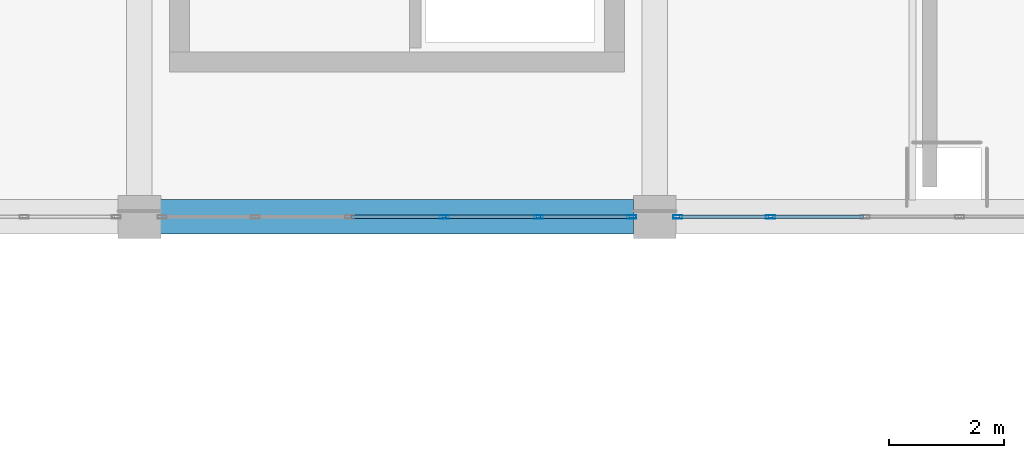
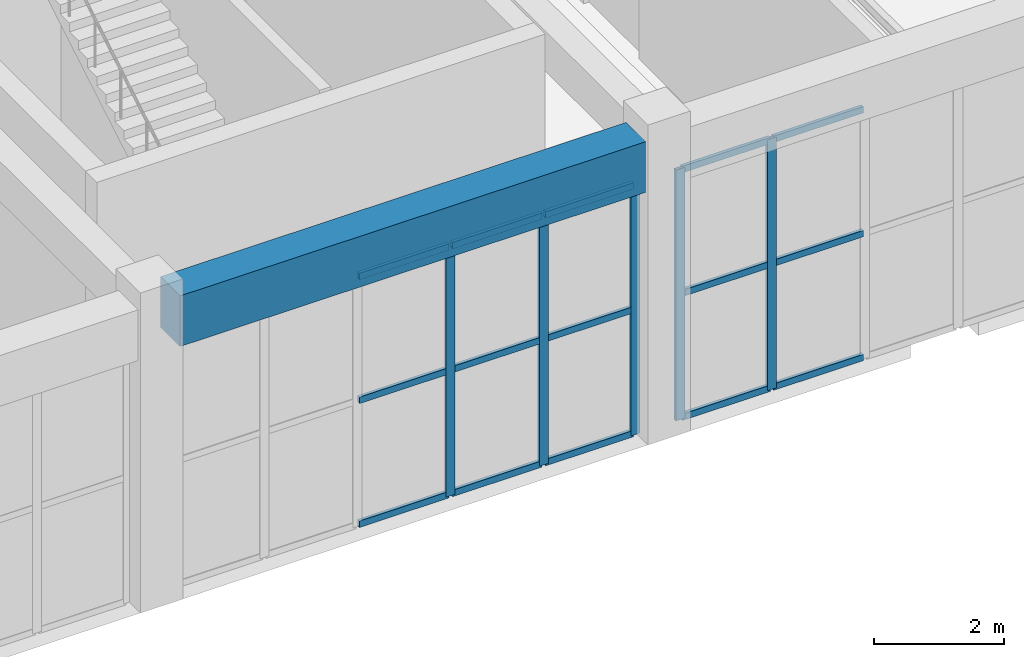
# One storey, part 90 of 223: 20 members, 1 beam, 2 elements without a shape of their own.
"""IFC4 building model written with IfcOpenShell, lengths in metres."""

from ifc_helpers import new_model, si_unit, direction, frame, origin, origin_2d, place, context, subcontext, project, spatial, rectangle, hollow_rectangle, extrude, material, layer, layer_set, material_profile, profile_set, type_object, element, aggregate, save


model = new_model("IFC4")

# Units and contexts
model_context = context("Model", 3, precision=1e-05, world=origin(), true_north=direction((0.0, 1.0)))
body_context = subcontext(model_context, "Body", "Model", "MODEL_VIEW")
ifc_project = project(units=[si_unit("LENGTHUNIT", "METRE"), si_unit("AREAUNIT", "SQUARE_METRE"), si_unit("VOLUMEUNIT", "CUBIC_METRE"), si_unit("PLANEANGLEUNIT", "RADIAN"), si_unit("MASSUNIT", "GRAM", prefix="KILO")], contexts=[model_context])

# Site, building, storey
site_placement = place(None, origin())
site = spatial("IfcSite", under=ifc_project, at=site_placement, CompositionType="ELEMENT")
building_placement = place(site_placement, origin())
building = spatial("IfcBuilding", under=site, at=building_placement, Name="Dornveld Trade and Exhibition Forum", CompositionType="ELEMENT")
storey_placement = place(building_placement, frame((0.0, 0.0, 6.0)))
storey = spatial("IfcBuildingStorey", under=building, at=storey_placement, Name="L01", CompositionType="ELEMENT", Elevation=6.0)

# Beam
ifc_material_1 = material(Name="Precast concrete C50/60", Category="concrete")
ifc_material_profile_1 = material_profile(ifc_material_1, rectangle(XDim=0.60009765625, YDim=0.949951171875, at=origin_2d()), Name="PC-GIR 600x950")
ifc_profile_set_1 = profile_set([ifc_material_profile_1], Name="Precast concrete C50/60")
beam_type = type_object("IfcBeamType", Name="BM-PC-600x950", PredefinedType="T_BEAM", material=ifc_profile_set_1)
beam_placement = place(storey_placement, frame((180.37109375, 108.0, 5.1650390625), z_axis=(1.0, 0.0, 0.0), x_axis=(0.0, 1.0, 0.0)))
element("IfcBeam", 1, at=beam_placement, inside=storey, type_object=beam_type, Name="L01 X-girder 1335", PredefinedType="T_BEAM", context=body_context, shape_type="SweptSolid", body=[
    extrude(rectangle(XDim=0.60009765625, YDim=0.949951171875, at=origin_2d()), origin(), (0.0, 0.0, 1.0), 8.2578125),
])

# Curtain wall, members
ifc_material_2 = material(Name="Dark-bronze anodised aluminium and low-E glass", Category="aluminium")
ifc_layer_1 = layer(ifc_material_2, 0.18701171875)
ifc_layer_set_1 = layer_set([ifc_layer_1], Name="Dark-bronze anodised aluminium and low-E glass")
curtain_wall_type_1 = type_object("IfcCurtainWallType", Name="CW-SYS-15", PredefinedType="USERDEFINED", material=ifc_layer_set_1)
curtain_wall_1_placement = place(storey_placement, origin())
curtain_wall_1 = element("IfcCurtainWall", 2, at=curtain_wall_1_placement, inside=storey, type_object=curtain_wall_type_1, Name="L01 unitised curtain wall 105", ObjectType="UNITISED_CURTAIN_WALL", PredefinedType="USERDEFINED")
ifc_material_3 = material(Name="Dark-bronze anodised aluminium", Category="aluminium")
ifc_material_profile_2 = material_profile(ifc_material_3, hollow_rectangle(XDim=0.06005859375, YDim=0.159912109375, WallThickness=0.00390625, at=origin_2d()), Name="RHS 160x60x4")
ifc_profile_set_2 = profile_set([ifc_material_profile_2], Name="Dark-bronze anodised aluminium")
member_type_1 = type_object("IfcMemberType", Name="CW-MUL-160", PredefinedType="MULLION", material=ifc_profile_set_2)
member_1_placement = place(storey_placement, frame((185.32568359375, 108.0, -0.00390625), z_axis=(0.0, 0.0, 1.0), x_axis=(0.0, 1.0, 0.0)))
member_1 = element("IfcMember", 3, at=member_1_placement, type_object=member_type_1, Name="CW-15 mullion 4", PredefinedType="MULLION", context=body_context, shape_type="SweptSolid", body=[
    extrude(hollow_rectangle(XDim=0.06005859375, YDim=0.159912109375, WallThickness=0.00390625, at=origin_2d()), origin(), (0.0, 0.0, 1.0), 4.703857421875),
])
member_2_placement = place(storey_placement, frame((186.977294921875, 108.0, -0.00390625), z_axis=(0.0, 0.0, 1.0), x_axis=(0.0, 1.0, 0.0)))
member_2 = element("IfcMember", 4, at=member_2_placement, type_object=member_type_1, Name="CW-15 mullion 5", PredefinedType="MULLION", context=body_context, shape_type="SweptSolid", body=[
    extrude(hollow_rectangle(XDim=0.06005859375, YDim=0.159912109375, WallThickness=0.00390625, at=origin_2d()), origin(), (0.0, 0.0, 1.0), 4.703857421875),
])
member_3_placement = place(storey_placement, frame((188.59912109375, 108.0, -0.00390625), z_axis=(0.0, 0.0, 1.0), x_axis=(0.0, 1.0, 0.0)))
member_3 = element("IfcMember", 5, at=member_3_placement, type_object=member_type_1, Name="CW-15 mullion 6", PredefinedType="MULLION", context=body_context, shape_type="SweptSolid", body=[
    extrude(hollow_rectangle(XDim=0.06005859375, YDim=0.159912109375, WallThickness=0.00390625, at=origin_2d()), origin(), (0.0, 0.0, 1.0), 4.703857421875),
])

ifc_material_4 = material(Name="Dark-bronze anodised aluminium and low-E glass", Category="aluminium")
ifc_layer_2 = layer(ifc_material_4, 0.18994140625)
ifc_layer_set_2 = layer_set([ifc_layer_2], Name="Dark-bronze anodised aluminium and low-E glass")
curtain_wall_type_2 = type_object("IfcCurtainWallType", Name="CW-SYS-16", PredefinedType="USERDEFINED", material=ifc_layer_set_2)
curtain_wall_2_placement = place(storey_placement, origin())
curtain_wall_2 = element("IfcCurtainWall", 6, at=curtain_wall_2_placement, inside=storey, type_object=curtain_wall_type_2, Name="L01 unitised curtain wall 106", ObjectType="UNITISED_CURTAIN_WALL", PredefinedType="USERDEFINED")
member_4_placement = place(storey_placement, frame((189.40087890625, 108.0, -0.00390625), z_axis=(0.0, 0.0, 1.0), x_axis=(0.0, 1.0, 0.0)))
member_4 = element("IfcMember", 7, at=member_4_placement, type_object=member_type_1, Name="CW-16 mullion 1", PredefinedType="MULLION", context=body_context, shape_type="SweptSolid", body=[
    extrude(hollow_rectangle(XDim=0.06005859375, YDim=0.159912109375, WallThickness=0.00390625, at=origin_2d()), origin(), (0.0, 0.0, 1.0), 4.703857421875),
])
member_5_placement = place(storey_placement, frame((191.022705078125, 108.0, -0.00390625), z_axis=(0.0, 0.0, 1.0), x_axis=(0.0, 1.0, 0.0)))
member_5 = element("IfcMember", 8, at=member_5_placement, type_object=member_type_1, Name="CW-16 mullion 2", PredefinedType="MULLION", context=body_context, shape_type="SweptSolid", body=[
    extrude(hollow_rectangle(XDim=0.06005859375, YDim=0.159912109375, WallThickness=0.00390625, at=origin_2d()), origin(), (0.0, 0.0, 1.0), 4.703857421875),
])

# Member
ifc_material_5 = material(Name="Dark-bronze anodised aluminium", Category="aluminium")
ifc_material_profile_3 = material_profile(ifc_material_5, hollow_rectangle(XDim=0.06005859375, YDim=0.1201171875, WallThickness=0.00390625, at=origin_2d()), Name="RHS 120x60x4")
ifc_profile_set_3 = profile_set([ifc_material_profile_3], Name="Dark-bronze anodised aluminium")
member_type_2 = type_object("IfcMemberType", Name="CW-TRN-120", PredefinedType="USERDEFINED", material=ifc_profile_set_3)
member_6_placement = place(storey_placement, frame((183.7041015625, 108.0, 0.02587890625), z_axis=(1.0, 0.0, 0.0), x_axis=(0.0, 1.0, 0.0)))
member_6 = element("IfcMember", 9, at=member_6_placement, type_object=member_type_2, Name="CW-15 transom 3.1", ObjectType="TRANSOM", PredefinedType="USERDEFINED", context=body_context, shape_type="SweptSolid", body=[
    extrude(hollow_rectangle(XDim=0.06005859375, YDim=0.1201171875, WallThickness=0.00390625, at=origin_2d()), origin(), (0.0, 0.0, 1.0), 1.591796875),
])

member_7_placement = place(storey_placement, frame((183.7041015625, 108.0, 2.347900390625), z_axis=(1.0, 0.0, 0.0), x_axis=(0.0, 1.0, 0.0)))
member_7 = element("IfcMember", 10, at=member_7_placement, type_object=member_type_2, Name="CW-15 transom 3.2", ObjectType="TRANSOM", PredefinedType="USERDEFINED", context=body_context, shape_type="SweptSolid", body=[
    extrude(hollow_rectangle(XDim=0.06005859375, YDim=0.1201171875, WallThickness=0.00390625, at=origin_2d()), origin(), (0.0, 0.0, 1.0), 1.591796875),
])

member_8_placement = place(storey_placement, frame((183.7041015625, 108.0, 4.669921875), z_axis=(1.0, 0.0, 0.0), x_axis=(0.0, 1.0, 0.0)))
member_8 = element("IfcMember", 11, at=member_8_placement, type_object=member_type_2, Name="CW-15 transom 3.3", ObjectType="TRANSOM", PredefinedType="USERDEFINED", context=body_context, shape_type="SweptSolid", body=[
    extrude(hollow_rectangle(XDim=0.06005859375, YDim=0.1201171875, WallThickness=0.00390625, at=origin_2d()), origin(), (0.0, 0.0, 1.0), 1.591796875),
])

member_9_placement = place(storey_placement, frame((185.355712890625, 108.0, 0.02587890625), z_axis=(1.0, 0.0, 0.0), x_axis=(0.0, 1.0, 0.0)))
member_9 = element("IfcMember", 12, at=member_9_placement, type_object=member_type_2, Name="CW-15 transom 4.1", ObjectType="TRANSOM", PredefinedType="USERDEFINED", context=body_context, shape_type="SweptSolid", body=[
    extrude(hollow_rectangle(XDim=0.06005859375, YDim=0.1201171875, WallThickness=0.00390625, at=origin_2d()), origin(), (0.0, 0.0, 1.0), 1.591796875),
])

member_10_placement = place(storey_placement, frame((185.355712890625, 108.0, 2.347900390625), z_axis=(1.0, 0.0, 0.0), x_axis=(0.0, 1.0, 0.0)))
member_10 = element("IfcMember", 13, at=member_10_placement, type_object=member_type_2, Name="CW-15 transom 4.2", ObjectType="TRANSOM", PredefinedType="USERDEFINED", context=body_context, shape_type="SweptSolid", body=[
    extrude(hollow_rectangle(XDim=0.06005859375, YDim=0.1201171875, WallThickness=0.00390625, at=origin_2d()), origin(), (0.0, 0.0, 1.0), 1.591796875),
])

member_11_placement = place(storey_placement, frame((185.355712890625, 108.0, 4.669921875), z_axis=(1.0, 0.0, 0.0), x_axis=(0.0, 1.0, 0.0)))
member_11 = element("IfcMember", 14, at=member_11_placement, type_object=member_type_2, Name="CW-15 transom 4.3", ObjectType="TRANSOM", PredefinedType="USERDEFINED", context=body_context, shape_type="SweptSolid", body=[
    extrude(hollow_rectangle(XDim=0.06005859375, YDim=0.1201171875, WallThickness=0.00390625, at=origin_2d()), origin(), (0.0, 0.0, 1.0), 1.591796875),
])

member_12_placement = place(storey_placement, frame((187.00732421875, 108.0, 0.02587890625), z_axis=(1.0, 0.0, 0.0), x_axis=(0.0, 1.0, 0.0)))
member_12 = element("IfcMember", 15, at=member_12_placement, type_object=member_type_2, Name="CW-15 transom 5.1", ObjectType="TRANSOM", PredefinedType="USERDEFINED", context=body_context, shape_type="SweptSolid", body=[
    extrude(hollow_rectangle(XDim=0.06005859375, YDim=0.1201171875, WallThickness=0.00390625, at=origin_2d()), origin(), (0.0, 0.0, 1.0), 1.561767578125),
])

member_13_placement = place(storey_placement, frame((187.00732421875, 108.0, 2.347900390625), z_axis=(1.0, 0.0, 0.0), x_axis=(0.0, 1.0, 0.0)))
member_13 = element("IfcMember", 16, at=member_13_placement, type_object=member_type_2, Name="CW-15 transom 5.2", ObjectType="TRANSOM", PredefinedType="USERDEFINED", context=body_context, shape_type="SweptSolid", body=[
    extrude(hollow_rectangle(XDim=0.06005859375, YDim=0.1201171875, WallThickness=0.00390625, at=origin_2d()), origin(), (0.0, 0.0, 1.0), 1.561767578125),
])

member_14_placement = place(storey_placement, frame((187.00732421875, 108.0, 4.669921875), z_axis=(1.0, 0.0, 0.0), x_axis=(0.0, 1.0, 0.0)))
member_14 = element("IfcMember", 17, at=member_14_placement, type_object=member_type_2, Name="CW-15 transom 5.3", ObjectType="TRANSOM", PredefinedType="USERDEFINED", context=body_context, shape_type="SweptSolid", body=[
    extrude(hollow_rectangle(XDim=0.06005859375, YDim=0.1201171875, WallThickness=0.00390625, at=origin_2d()), origin(), (0.0, 0.0, 1.0), 1.561767578125),
])

aggregate(curtain_wall_1, [member_1, member_2, member_3, member_6, member_7, member_8, member_9, member_10, member_11, member_12, member_13, member_14])

member_15_placement = place(storey_placement, frame((189.430908203125, 108.0, 0.02587890625), z_axis=(1.0, 0.0, 0.0), x_axis=(0.0, 1.0, 0.0)))
member_15 = element("IfcMember", 18, at=member_15_placement, type_object=member_type_2, Name="CW-16 transom 1.1", ObjectType="TRANSOM", PredefinedType="USERDEFINED", context=body_context, shape_type="SweptSolid", body=[
    extrude(hollow_rectangle(XDim=0.06005859375, YDim=0.1201171875, WallThickness=0.00390625, at=origin_2d()), origin(), (0.0, 0.0, 1.0), 1.561767578125),
])

member_16_placement = place(storey_placement, frame((189.430908203125, 108.0, 2.347900390625), z_axis=(1.0, 0.0, 0.0), x_axis=(0.0, 1.0, 0.0)))
member_16 = element("IfcMember", 19, at=member_16_placement, type_object=member_type_2, Name="CW-16 transom 1.2", ObjectType="TRANSOM", PredefinedType="USERDEFINED", context=body_context, shape_type="SweptSolid", body=[
    extrude(hollow_rectangle(XDim=0.06005859375, YDim=0.1201171875, WallThickness=0.00390625, at=origin_2d()), origin(), (0.0, 0.0, 1.0), 1.561767578125),
])

member_17_placement = place(storey_placement, frame((189.430908203125, 108.0, 4.669921875), z_axis=(1.0, 0.0, 0.0), x_axis=(0.0, 1.0, 0.0)))
member_17 = element("IfcMember", 20, at=member_17_placement, type_object=member_type_2, Name="CW-16 transom 1.3", ObjectType="TRANSOM", PredefinedType="USERDEFINED", context=body_context, shape_type="SweptSolid", body=[
    extrude(hollow_rectangle(XDim=0.06005859375, YDim=0.1201171875, WallThickness=0.00390625, at=origin_2d()), origin(), (0.0, 0.0, 1.0), 1.561767578125),
])

member_18_placement = place(storey_placement, frame((191.052490234375, 108.0, 0.02587890625), z_axis=(1.0, 0.0, 0.0), x_axis=(0.0, 1.0, 0.0)))
member_18 = element("IfcMember", 21, at=member_18_placement, type_object=member_type_2, Name="CW-16 transom 2.1", ObjectType="TRANSOM", PredefinedType="USERDEFINED", context=body_context, shape_type="SweptSolid", body=[
    extrude(hollow_rectangle(XDim=0.06005859375, YDim=0.1201171875, WallThickness=0.00390625, at=origin_2d()), origin(), (0.0, 0.0, 1.0), 1.591796875),
])

member_19_placement = place(storey_placement, frame((191.052490234375, 108.0, 2.347900390625), z_axis=(1.0, 0.0, 0.0), x_axis=(0.0, 1.0, 0.0)))
member_19 = element("IfcMember", 22, at=member_19_placement, type_object=member_type_2, Name="CW-16 transom 2.2", ObjectType="TRANSOM", PredefinedType="USERDEFINED", context=body_context, shape_type="SweptSolid", body=[
    extrude(hollow_rectangle(XDim=0.06005859375, YDim=0.1201171875, WallThickness=0.00390625, at=origin_2d()), origin(), (0.0, 0.0, 1.0), 1.591796875),
])

member_20_placement = place(storey_placement, frame((191.052490234375, 108.0, 4.669921875), z_axis=(1.0, 0.0, 0.0), x_axis=(0.0, 1.0, 0.0)))
member_20 = element("IfcMember", 23, at=member_20_placement, type_object=member_type_2, Name="CW-16 transom 2.3", ObjectType="TRANSOM", PredefinedType="USERDEFINED", context=body_context, shape_type="SweptSolid", body=[
    extrude(hollow_rectangle(XDim=0.06005859375, YDim=0.1201171875, WallThickness=0.00390625, at=origin_2d()), origin(), (0.0, 0.0, 1.0), 1.591796875),
])

aggregate(curtain_wall_2, [member_4, member_5, member_15, member_16, member_17, member_18, member_19, member_20])

save(model, "model.ifc")
